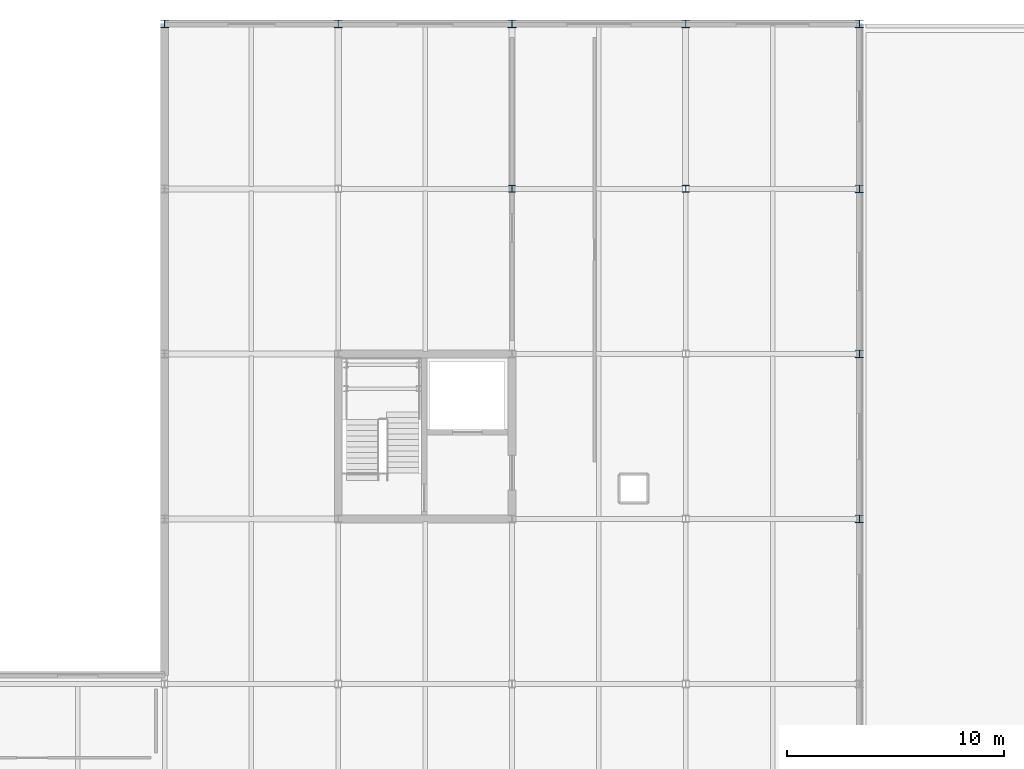
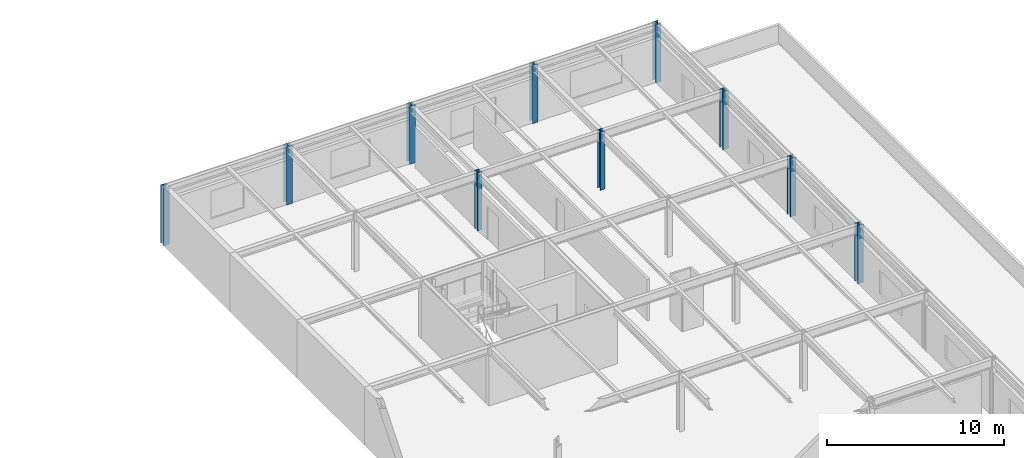
# One storey, part 12 of 85: 10 columns.
"""IFC4 building model written with IfcOpenShell, lengths in metres."""

from ifc_helpers import new_model, si_unit, direction, frame, origin, origin_2d, place, context, subcontext, project, spatial, i_section, extrude, material, material_profile, profile_set, type_object, element, save


model = new_model("IFC4")

# Units and contexts
model_context = context("Model", 3, precision=1e-05, world=origin(), true_north=direction((0.0, 1.0)))
body_context = subcontext(model_context, "Body", "Model", "MODEL_VIEW")
ifc_project = project(units=[si_unit("LENGTHUNIT", "METRE"), si_unit("AREAUNIT", "SQUARE_METRE"), si_unit("VOLUMEUNIT", "CUBIC_METRE"), si_unit("PLANEANGLEUNIT", "RADIAN"), si_unit("MASSUNIT", "GRAM", prefix="KILO")], contexts=[model_context])

# Site, building, storey
site_placement = place(None, origin())
site = spatial("IfcSite", under=ifc_project, at=site_placement, CompositionType="ELEMENT")
building_placement = place(site_placement, origin())
building = spatial("IfcBuilding", under=site, at=building_placement, Name="Zulena Civic Courthouse", CompositionType="ELEMENT")
storey_placement = place(building_placement, frame((0.0, 0.0, 25.199951171875)))
storey = spatial("IfcBuildingStorey", under=building, at=storey_placement, Name="L05", CompositionType="ELEMENT", Elevation=25.199951171875)

# Columns
ifc_material = material(Name="Steel ASTM A992 Grade 50", Category="steel")
ifc_material_profile_1 = material_profile(ifc_material, i_section(OverallWidth=0.30908203125, OverallDepth=0.322998046875, WebThickness=0.013916015625, FlangeThickness=0.02294921875, FilletRadius=0.01513671875, at=origin_2d()), Name="W12X96")
ifc_profile_set_1 = profile_set([ifc_material_profile_1], Name="Steel ASTM A992 Grade 50")
column_type_1 = type_object("IfcColumnType", Name="Col_W12X96", PredefinedType="COLUMN", material=ifc_profile_set_1)
for number, where, z_axis, x_axis, name in (
    (1, (84.0, 83.60009765625, 0.0), (0.0, 0.0, 1.0), (1.0, 0.0, 0.0), "col:V5:L05:84.0:83.6"),
    (2, (92.0, 83.60009765625, 0.0), (0.0, 0.0, 1.0), (1.0, 0.0, 0.0), "col:V5:L05:92.0:83.6"),
):
    element("IfcColumn", number, at=place(storey_placement, frame(where, z_axis=z_axis, x_axis=x_axis)), inside=storey, type_object=column_type_1, Name=name, PredefinedType="COLUMN", context=body_context, shape_type="SweptSolid", body=[
        extrude(i_section(OverallWidth=0.30908203125, OverallDepth=0.322998046875, WebThickness=0.013916015625, FlangeThickness=0.02294921875, FilletRadius=0.01513671875, at=origin_2d()), origin(), (0.0, 0.0, 1.0), 3.9951171875),
    ])
ifc_material_profile_2 = material_profile(ifc_material, i_section(OverallWidth=0.368896484375, OverallDepth=0.35595703125, WebThickness=0.01123046875, FlangeThickness=0.01806640625, FilletRadius=0.01513671875, at=origin_2d()), Name="W14X90")
ifc_profile_set_2 = profile_set([ifc_material_profile_2], Name="Steel ASTM A992 Grade 50")
column_type_2 = type_object("IfcColumnType", Name="Col_W14X90", PredefinedType="COLUMN", material=ifc_profile_set_2)
for number, where, z_axis, x_axis, name in (
    (3, (68.0, 91.199951171875, 0.0), (0.0, 0.0, 1.0), (1.0, 0.0, 0.0), "col:V5:L05:68.0:91.2"),
    (4, (76.0, 91.199951171875, 0.0), (0.0, 0.0, 1.0), (1.0, 0.0, 0.0), "col:V5:L05:76.0:91.2"),
):
    element("IfcColumn", number, at=place(storey_placement, frame(where, z_axis=z_axis, x_axis=x_axis)), inside=storey, type_object=column_type_2, Name=name, PredefinedType="COLUMN", context=body_context, shape_type="SweptSolid", body=[
        extrude(i_section(OverallWidth=0.368896484375, OverallDepth=0.35595703125, WebThickness=0.01123046875, FlangeThickness=0.01806640625, FilletRadius=0.01513671875, at=origin_2d()), origin(), (0.0, 0.0, 1.0), 3.9951171875),
    ])
ifc_material_profile_3 = material_profile(ifc_material, i_section(OverallWidth=0.3701171875, OverallDepth=0.360107421875, WebThickness=0.01220703125, FlangeThickness=0.019775390625, FilletRadius=0.01513671875, at=origin_2d()), Name="W14X99")
ifc_profile_set_3 = profile_set([ifc_material_profile_3], Name="Steel ASTM A992 Grade 50")
column_type_3 = type_object("IfcColumnType", Name="Col_W14X99", PredefinedType="COLUMN", material=ifc_profile_set_3)
for number, where, z_axis, x_axis, name in (
    (5, (84.0, 91.199951171875, 0.0), (0.0, 0.0, 1.0), (1.0, 0.0, 0.0), "col:V5:L05:84.0:91.2"),
    (6, (92.0, 91.199951171875, 0.0), (0.0, 0.0, 1.0), (1.0, 0.0, 0.0), "col:V5:L05:92.0:91.2"),
    (7, (100.0, 68.39990234375, 0.0), (0.0, 0.0, 1.0), (1.0, 0.0, 0.0), "col:V5:L05:100.0:68.4"),
    (8, (100.0, 76.0, 0.0), (0.0, 0.0, 1.0), (1.0, 0.0, 0.0), "col:V5:L05:100.0:76.0"),
    (9, (100.0, 83.60009765625, 0.0), (0.0, 0.0, 1.0), (1.0, 0.0, 0.0), "col:V5:L05:100.0:83.6"),
    (10, (100.0, 91.199951171875, 0.0), (0.0, 0.0, 1.0), (1.0, 0.0, 0.0), "col:V5:L05:100.0:91.2"),
):
    element("IfcColumn", number, at=place(storey_placement, frame(where, z_axis=z_axis, x_axis=x_axis)), inside=storey, type_object=column_type_3, Name=name, PredefinedType="COLUMN", context=body_context, shape_type="SweptSolid", body=[
        extrude(i_section(OverallWidth=0.3701171875, OverallDepth=0.360107421875, WebThickness=0.01220703125, FlangeThickness=0.019775390625, FilletRadius=0.01513671875, at=origin_2d()), origin(), (0.0, 0.0, 1.0), 3.9951171875),
    ])

save(model, "model.ifc")
